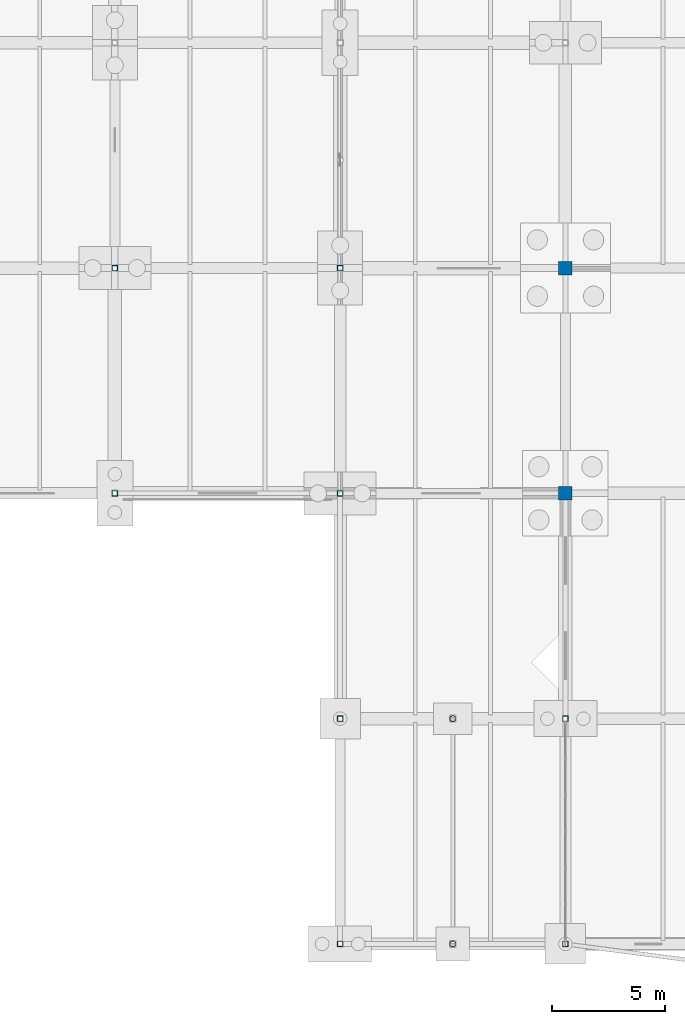
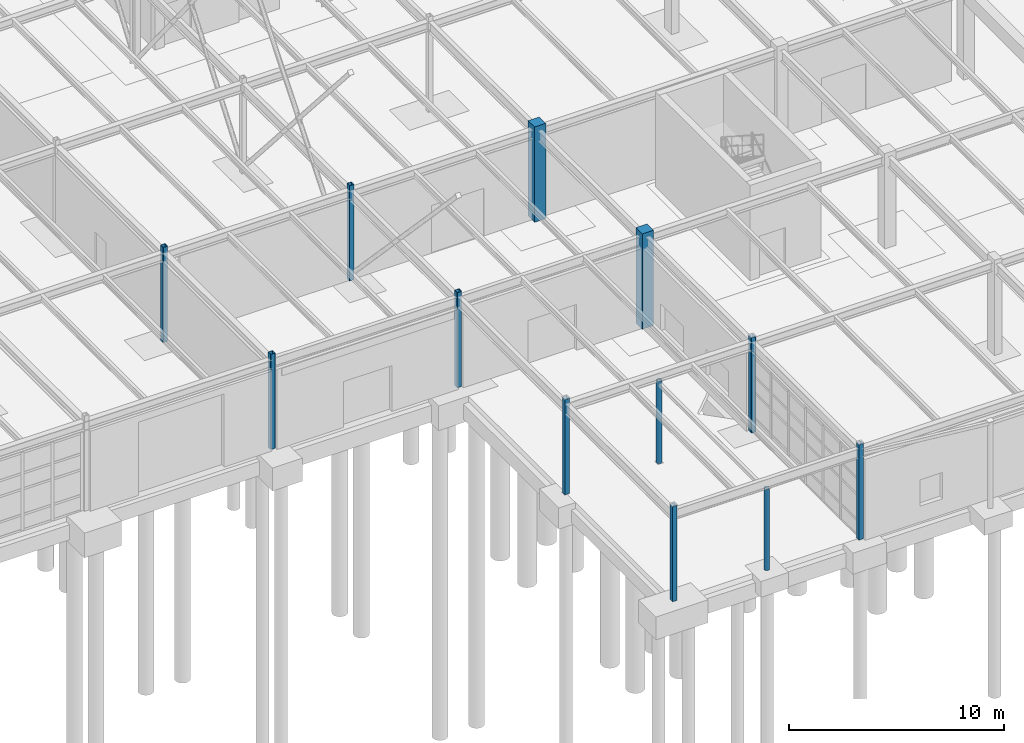
# One storey, part 16 of 145: 12 columns.
"""IFC4 building model written with IfcOpenShell, lengths in metres."""

from ifc_helpers import new_model, si_unit, direction, frame, origin, origin_2d, place, context, subcontext, project, spatial, rectangle, hollow_rectangle, hollow_circle, extrude, material, material_profile, profile_set, type_object, element, save


model = new_model("IFC4")

# Units and contexts
model_context = context("Model", 3, precision=1e-05, world=origin(), true_north=direction((0.0, 1.0)))
body_context = subcontext(model_context, "Body", "Model", "MODEL_VIEW")
ifc_project = project(units=[si_unit("LENGTHUNIT", "METRE"), si_unit("AREAUNIT", "SQUARE_METRE"), si_unit("VOLUMEUNIT", "CUBIC_METRE"), si_unit("PLANEANGLEUNIT", "RADIAN"), si_unit("MASSUNIT", "GRAM", prefix="KILO"), si_unit("THERMODYNAMICTEMPERATUREUNIT", "KELVIN"), si_unit("POWERUNIT", "WATT")], contexts=[model_context])

# Site, building, storey
site_placement = place(None, origin())
site = spatial("IfcSite", under=ifc_project, at=site_placement, CompositionType="ELEMENT")
building_placement = place(site_placement, origin())
building = spatial("IfcBuilding", under=site, at=building_placement, Name="Korenveer Ferry Terminal", CompositionType="ELEMENT")
storey_placement = place(building_placement, origin())
storey = spatial("IfcBuildingStorey", under=building, at=storey_placement, Name="L00", CompositionType="ELEMENT", Elevation=0.0)

# Columns
ifc_material_1 = material(Name="Steel S355", Category="steel")
ifc_material_profile_1 = material_profile(ifc_material_1, hollow_circle(Radius=0.136474609375, WallThickness=0.012451171875, at=origin_2d()), Name="CHS 273x12.5")
ifc_profile_set_1 = profile_set([ifc_material_profile_1], Name="Steel S355")
column_type_1 = type_object("IfcColumnType", Name="STR-COL-CHS273", PredefinedType="COLUMN", material=ifc_profile_set_1)
column_1_placement = place(storey_placement, frame((118.0, 0.0, 0.0), z_axis=(0.0, 0.0, 1.0), x_axis=(1.0, 0.0, 0.0)))
element("IfcColumn", 1, at=column_1_placement, inside=storey, type_object=column_type_1, Name="Forecourt lancet colonnade column 5", PredefinedType="COLUMN", context=body_context, shape_type="SweptSolid", body=[
    extrude(hollow_circle(Radius=0.136474609375, WallThickness=0.012451171875, at=origin_2d()), origin(), (0.0, 0.0, 1.0), 4.610107421875),
])
column_2_placement = place(storey_placement, frame((118.0, 10.0, 0.0), z_axis=(0.0, 0.0, 1.0), x_axis=(1.0, 0.0, 0.0)))
element("IfcColumn", 2, at=column_2_placement, inside=storey, type_object=column_type_1, Name="Forecourt lancet colonnade column 6", PredefinedType="COLUMN", context=body_context, shape_type="SweptSolid", body=[
    extrude(hollow_circle(Radius=0.136474609375, WallThickness=0.012451171875, at=origin_2d()), origin(), (0.0, 0.0, 1.0), 4.659912109375),
])
ifc_material_2 = material(Name="Concrete C45/55", Category="concrete")
ifc_material_profile_2 = material_profile(ifc_material_2, rectangle(XDim=0.60009765625, YDim=0.60009765625, at=origin_2d()), Name="RC 600x600")
ifc_profile_set_2 = profile_set([ifc_material_profile_2], Name="Concrete C45/55")
column_type_2 = type_object("IfcColumnType", Name="STR-COL-RC600", PredefinedType="COLUMN", material=ifc_profile_set_2)
for number, where, z_axis, x_axis, name in (
    (3, (123.0, 20.0, 0.0), (0.0, 0.0, 1.0), (1.0, 0.0, 0.0), "Column COL-L00-X123-Y20"),
    (4, (123.0, 30.0, 0.0), (0.0, 0.0, 1.0), (1.0, 0.0, 0.0), "Column COL-L00-X123-Y30"),
):
    element("IfcColumn", number, at=place(storey_placement, frame(where, z_axis=z_axis, x_axis=x_axis)), inside=storey, type_object=column_type_2, Name=name, PredefinedType="COLUMN", context=body_context, shape_type="SweptSolid", body=[
        extrude(rectangle(XDim=0.60009765625, YDim=0.60009765625, at=origin_2d()), origin(), (0.0, 0.0, 1.0), 5.39990234375),
    ])
ifc_material_profile_3 = material_profile(ifc_material_1, hollow_rectangle(XDim=0.25, YDim=0.25, WallThickness=0.012451171875, InnerFilletRadius=0.012451171875, OuterFilletRadius=0.018798828125, at=origin_2d()), Name="SHS 250x250x12.5")
ifc_profile_set_3 = profile_set([ifc_material_profile_3], Name="Steel S355")
column_type_3 = type_object("IfcColumnType", Name="STR-COL-SHS250", PredefinedType="COLUMN", material=ifc_profile_set_3)
for number, where, z_axis, x_axis, name in (
    (5, (103.0, 20.0, 0.0), (0.0, 0.0, 1.0), (1.0, 0.0, 0.0), "Column COL-L00-X103-Y20"),
    (6, (103.0, 30.0, 0.0), (0.0, 0.0, 1.0), (1.0, 0.0, 0.0), "Column COL-L00-X103-Y30"),
    (7, (113.0, 0.0, 0.0), (0.0, 0.0, 1.0), (1.0, 0.0, 0.0), "Column COL-L00-X113-Y0"),
    (8, (113.0, 10.0, 0.0), (0.0, 0.0, 1.0), (1.0, 0.0, 0.0), "Column COL-L00-X113-Y10"),
    (9, (113.0, 20.0, 0.0), (0.0, 0.0, 1.0), (1.0, 0.0, 0.0), "Column COL-L00-X113-Y20"),
    (10, (113.0, 30.0, 0.0), (0.0, 0.0, 1.0), (1.0, 0.0, 0.0), "Column COL-L00-X113-Y30"),
    (11, (123.0, 0.0, 0.0), (0.0, 0.0, 1.0), (1.0, 0.0, 0.0), "Column COL-L00-X123-Y0"),
    (12, (123.0, 10.0, 0.0), (0.0, 0.0, 1.0), (1.0, 0.0, 0.0), "Column COL-L00-X123-Y10"),
):
    element("IfcColumn", number, at=place(storey_placement, frame(where, z_axis=z_axis, x_axis=x_axis)), inside=storey, type_object=column_type_3, Name=name, PredefinedType="COLUMN", context=body_context, shape_type="SweptSolid", body=[
        extrude(hollow_rectangle(XDim=0.25, YDim=0.25, WallThickness=0.012451171875, InnerFilletRadius=0.012451171875, OuterFilletRadius=0.018798828125, at=origin_2d()), origin(), (0.0, 0.0, 1.0), 5.39990234375),
    ])

save(model, "model.ifc")
